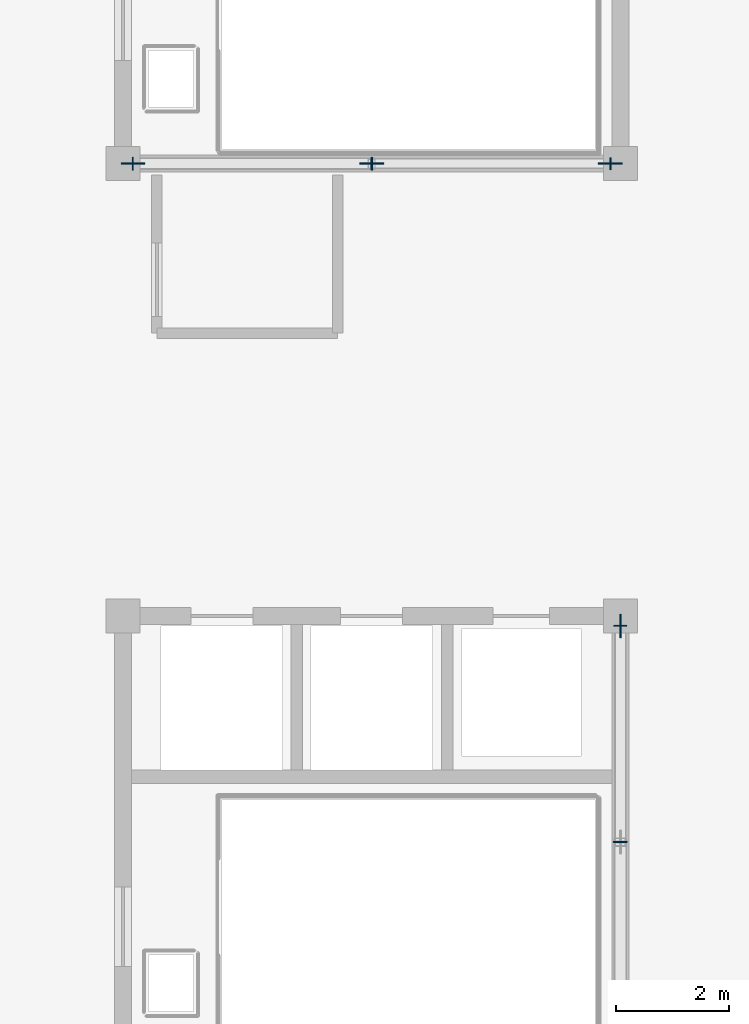
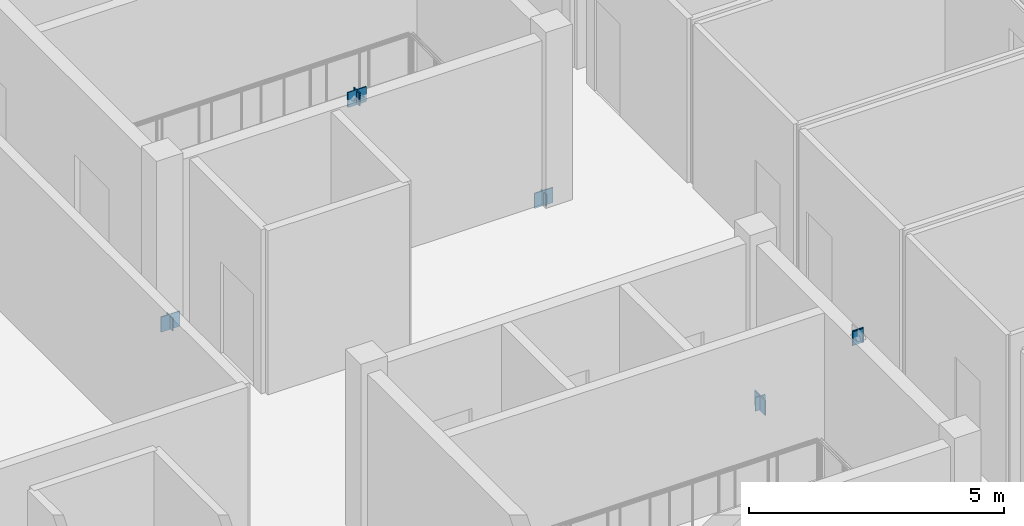
# One storey, part 4 of 10: 11 plates.
"""IFC4 building model written with IfcOpenShell, lengths in metres."""

from ifc_helpers import new_model, si_unit, direction, frame, origin, origin_2d, place, context, subcontext, project, spatial, rectangle, extrude, material, layer, layer_set, type_object, element, save


model = new_model("IFC4")

# Units and contexts
model_context = context("Model", 3, precision=1e-05, world=origin(), true_north=direction((0.0, 1.0)))
body_context = subcontext(model_context, "Body", "Model", "MODEL_VIEW")
ifc_project = project(units=[si_unit("LENGTHUNIT", "METRE"), si_unit("AREAUNIT", "SQUARE_METRE"), si_unit("VOLUMEUNIT", "CUBIC_METRE"), si_unit("PLANEANGLEUNIT", "RADIAN"), si_unit("MASSUNIT", "GRAM", prefix="KILO")], contexts=[model_context])

# Site, building, storey
site_placement = place(None, origin())
site = spatial("IfcSite", under=ifc_project, at=site_placement, CompositionType="ELEMENT")
building_placement = place(site_placement, origin())
building = spatial("IfcBuilding", under=site, at=building_placement, Name="Zhaolan Boulevard Law Courts", CompositionType="ELEMENT")
storey_placement = place(building_placement, frame((0.0, 0.0, 41.39990234375)))
storey = spatial("IfcBuildingStorey", under=building, at=storey_placement, Name="L09", CompositionType="ELEMENT", Elevation=41.39990234375)

# Plates
ifc_material_1 = material(Name="Structural steel Q355B", Category="steel")
ifc_layer_1 = layer(ifc_material_1, 0.02392578125)
ifc_layer_set_1 = layer_set([ifc_layer_1])
plate_type_1 = type_object("IfcPlateType", Name="BRACE GUSSET PLATE 24", PredefinedType="SHEET", material=ifc_layer_set_1)
for number, where, z_axis, x_axis, name in (
    (1, (26.39990234375, 53.820068359375, -0.14990234375), (0.0, 0.0, 1.0), (0.0, 1.0, 0.0), "Brace Gusset Connection Plate GP-W1-L09-EA2"),
    (2, (17.780029296875, 62.0, -0.14990234375), (0.0, 0.0, 1.0), (1.0, 0.0, 0.0), "Brace Gusset Connection Plate GP-W2-L09-SA1"),
    (3, (26.219970703125, 62.0, -0.14990234375), (0.0, 0.0, 1.0), (1.0, 0.0, 0.0), "Brace Gusset Connection Plate GP-W2-L09-SA2"),
    (4, (22.0, 62.0, 3.740234375), (0.0, 0.0, 1.0), (1.0, 0.0, 0.0), "Brace Gusset Connection Plate GP-W2-L09-SAPX"),
):
    element("IfcPlate", number, at=place(storey_placement, frame(where, z_axis=z_axis, x_axis=x_axis)), inside=storey, type_object=plate_type_1, Name=name, PredefinedType="SHEET", context=body_context, shape_type="SweptSolid", body=[
        extrude(rectangle(XDim=0.419921875, YDim=0.02392578125, at=origin_2d()), origin(), (0.0, 0.0, 1.0), 0.360107421875),
    ])
ifc_material_2 = material(Name="Structural steel Q355B", Category="steel")
ifc_layer_2 = layer(ifc_material_2, 0.02001953125)
ifc_layer_set_2 = layer_set([ifc_layer_2])
plate_type_2 = type_object("IfcPlateType", Name="END CAP PLATE 20", PredefinedType="SHEET", material=ifc_layer_set_2)
plate_placement = place(storey_placement, frame((26.39990234375, 50.005615234375, 3.747314453125), z_axis=(0.0, 0.0, 1.0), x_axis=(0.0, 1.0, 0.0)))
element("IfcPlate", 5, at=plate_placement, inside=storey, type_object=plate_type_2, Name="Hollow Section End-Cap Plate ECP-1132", PredefinedType="SHEET", context=body_context, shape_type="SweptSolid", body=[
    extrude(rectangle(XDim=0.02001953125, YDim=0.25, at=origin_2d()), origin(), (0.0, 0.0, 1.0), 0.35693359375),
])
for number, where, z_axis, x_axis, name in (
    (6, (26.39990234375, 53.82568359375, -0.1396484375), (0.0, 0.0, 1.0), (0.0, -1.0, 0.0), "Hollow Section End-Cap Plate ECP-1133"),
    (7, (26.39990234375, 49.994384765625, 3.76171875), (0.0, 0.0, 1.0), (0.0, -1.0, 0.0), "Hollow Section End-Cap Plate ECP-1134"),
):
    element("IfcPlate", number, at=place(storey_placement, frame(where, z_axis=z_axis, x_axis=x_axis)), inside=storey, type_object=plate_type_2, Name=name, PredefinedType="SHEET", context=body_context, shape_type="SweptSolid", body=[
        extrude(rectangle(XDim=0.02001953125, YDim=0.22998046875, at=origin_2d()), origin(), (0.0, 0.0, 1.0), 0.327880859375),
    ])
for number, where, z_axis, x_axis, name in (
    (8, (17.774169921875, 62.0, -0.1318359375), (0.0, 0.0, 1.0), (1.0, 0.0, 0.0), "Hollow Section End-Cap Plate ECP-1219"),
    (9, (22.005859375, 62.0, 3.76904296875), (0.0, 0.0, 1.0), (1.0, 0.0, 0.0), "Hollow Section End-Cap Plate ECP-1220"),
):
    element("IfcPlate", number, at=place(storey_placement, frame(where, z_axis=z_axis, x_axis=x_axis)), inside=storey, type_object=plate_type_2, Name=name, PredefinedType="SHEET", context=body_context, shape_type="SweptSolid", body=[
        extrude(rectangle(XDim=0.02001953125, YDim=0.22998046875, at=origin_2d()), origin(), (0.0, 0.0, 1.0), 0.31298828125),
    ])
for number, where, z_axis, x_axis, name in (
    (10, (26.225830078125, 62.0, -0.1181640625), (0.0, 0.0, 1.0), (-1.0, 0.0, 0.0), "Hollow Section End-Cap Plate ECP-1221"),
    (11, (21.994140625, 62.0, 3.78271484375), (0.0, 0.0, 1.0), (-1.0, 0.0, 0.0), "Hollow Section End-Cap Plate ECP-1222"),
):
    element("IfcPlate", number, at=place(storey_placement, frame(where, z_axis=z_axis, x_axis=x_axis)), inside=storey, type_object=plate_type_2, Name=name, PredefinedType="SHEET", context=body_context, shape_type="SweptSolid", body=[
        extrude(rectangle(XDim=0.02001953125, YDim=0.2099609375, at=origin_2d()), origin(), (0.0, 0.0, 1.0), 0.285888671875),
    ])

save(model, "model.ifc")
